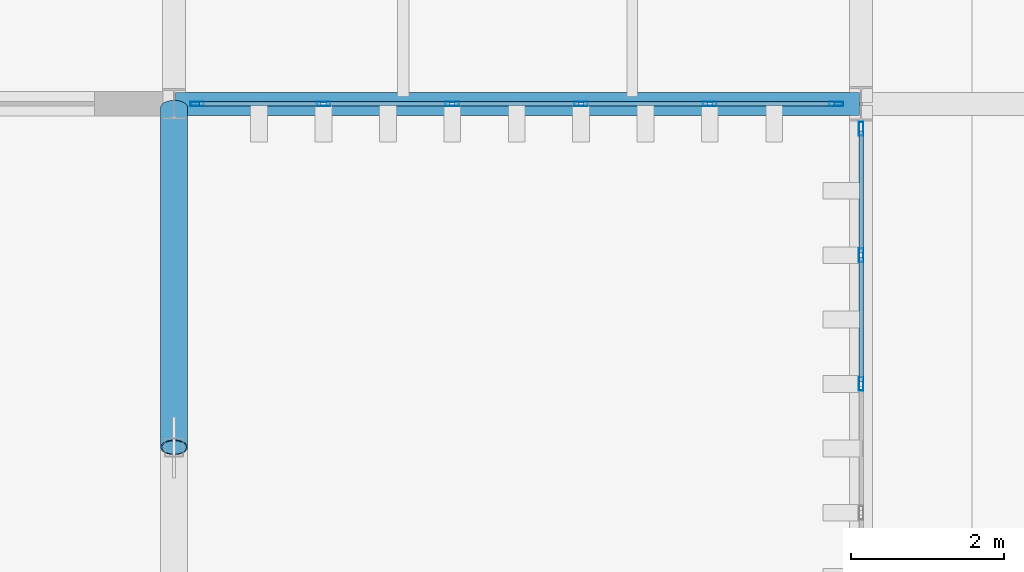
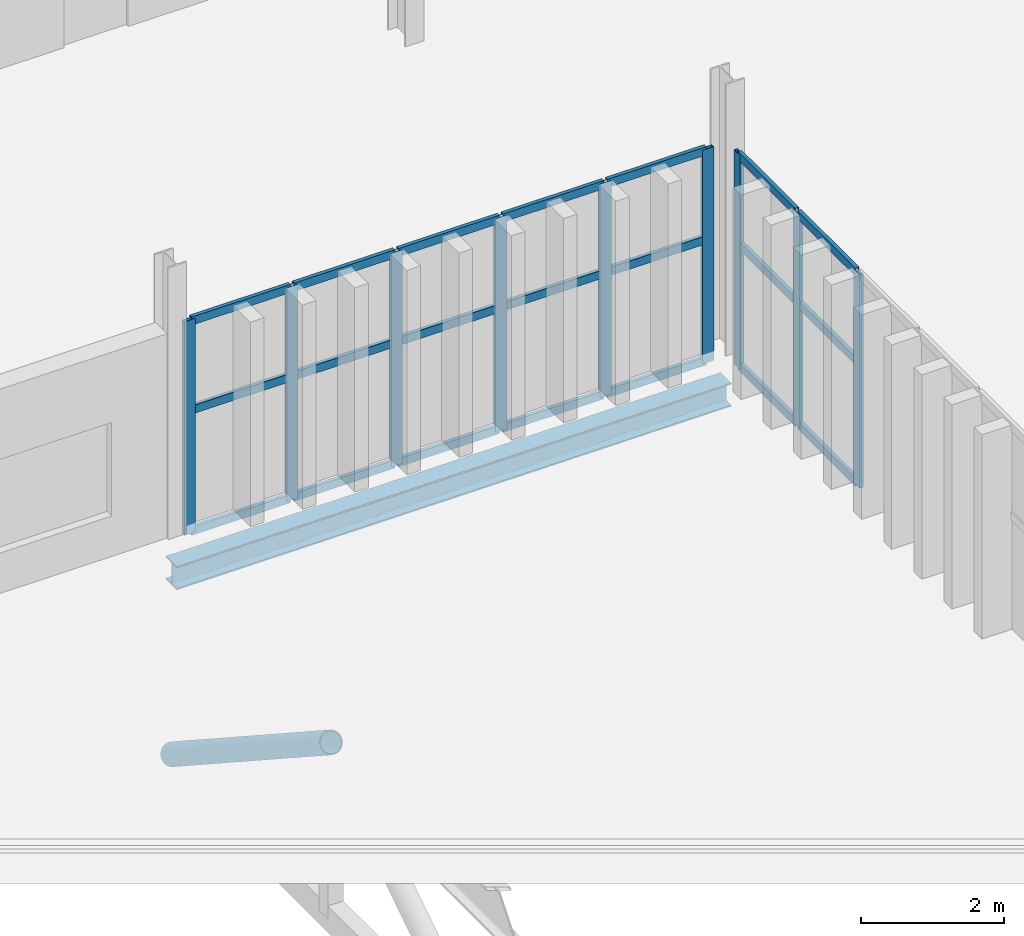
# One storey, part 119 of 196: 31 members, 1 beam, 2 elements without a shape of their own.
"""IFC4 building model written with IfcOpenShell, lengths in metres."""

from ifc_helpers import new_model, si_unit, direction, frame, origin, origin_2d, place, context, subcontext, project, spatial, hollow_rectangle, hollow_circle, i_section, extrude, material, layer, layer_set, material_profile, profile_set, type_object, element, aggregate, save


model = new_model("IFC4")

# Units and contexts
model_context = context("Model", 3, precision=1e-05, world=origin(), true_north=direction((0.0, 1.0)))
body_context = subcontext(model_context, "Body", "Model", "MODEL_VIEW")
ifc_project = project(units=[si_unit("LENGTHUNIT", "METRE"), si_unit("AREAUNIT", "SQUARE_METRE"), si_unit("VOLUMEUNIT", "CUBIC_METRE"), si_unit("PLANEANGLEUNIT", "RADIAN"), si_unit("MASSUNIT", "GRAM", prefix="KILO")], contexts=[model_context])

# Site, building, storey
site_placement = place(None, origin())
site = spatial("IfcSite", under=ifc_project, at=site_placement, CompositionType="ELEMENT")
building_placement = place(site_placement, origin())
building = spatial("IfcBuilding", under=site, at=building_placement, Name="Barlavento Convention Centre", CompositionType="ELEMENT")
storey_placement = place(building_placement, frame((0.0, 0.0, 18.0)))
storey = spatial("IfcBuildingStorey", under=building, at=storey_placement, Name="L03", CompositionType="ELEMENT", Elevation=18.0)

# Curtain wall, members
ifc_material_1 = material(Name="Powder-coated aluminium and Low-E glass", Category="aluminium")
ifc_layer = layer(ifc_material_1, 0.179931640625)
ifc_layer_set = layer_set([ifc_layer], Name="ARC-CW-CONF-L03")
curtain_wall_type = type_object("IfcCurtainWallType", Name="ARC-CW-CONF-L03", PredefinedType="NOTDEFINED", material=ifc_layer_set)
curtain_wall_1_placement = place(storey_placement, origin())
curtain_wall_1 = element("IfcCurtainWall", 1, at=curtain_wall_1_placement, inside=storey, type_object=curtain_wall_type, Name="L03 unitised curtain wall CW08", PredefinedType="NOTDEFINED")
ifc_material_2 = material(Name="Powder-coated aluminium", Category="aluminium")
ifc_material_profile_1 = material_profile(ifc_material_2, hollow_rectangle(XDim=0.06005859375, YDim=0.179931640625, WallThickness=0.0048828125, at=origin_2d()), Name="AL-MULL 60x180x5")
ifc_profile_set_1 = profile_set([ifc_material_profile_1], Name="Powder-coated aluminium")
member_type_1 = type_object("IfcMemberType", Name="ARC-CWM-60X180", PredefinedType="MULLION", material=ifc_profile_set_1)
member_1_placement = place(storey_placement, frame((162.300048828125, 36.0, 0.0), z_axis=(0.0, 0.0, 1.0), x_axis=(0.0, 1.0, 0.0)))
member_1 = element("IfcMember", 2, at=member_1_placement, type_object=member_type_1, Name="CW08 mullion 1", PredefinedType="MULLION", context=body_context, shape_type="SweptSolid", body=[
    extrude(hollow_rectangle(XDim=0.06005859375, YDim=0.179931640625, WallThickness=0.0048828125, at=origin_2d()), origin(), (0.0, 0.0, 1.0), 3.64990234375),
])
member_2_placement = place(storey_placement, frame((163.95703125, 36.0, 0.0), z_axis=(0.0, 0.0, 1.0), x_axis=(0.0, 1.0, 0.0)))
member_2 = element("IfcMember", 3, at=member_2_placement, type_object=member_type_1, Name="CW08 mullion 2", PredefinedType="MULLION", context=body_context, shape_type="SweptSolid", body=[
    extrude(hollow_rectangle(XDim=0.06005859375, YDim=0.179931640625, WallThickness=0.0048828125, at=origin_2d()), origin(), (0.0, 0.0, 1.0), 3.64990234375),
])
member_3_placement = place(storey_placement, frame((165.64404296875, 36.0, 0.0), z_axis=(0.0, 0.0, 1.0), x_axis=(0.0, 1.0, 0.0)))
member_3 = element("IfcMember", 4, at=member_3_placement, type_object=member_type_1, Name="CW08 mullion 3", PredefinedType="MULLION", context=body_context, shape_type="SweptSolid", body=[
    extrude(hollow_rectangle(XDim=0.06005859375, YDim=0.179931640625, WallThickness=0.0048828125, at=origin_2d()), origin(), (0.0, 0.0, 1.0), 3.64990234375),
])
member_4_placement = place(storey_placement, frame((167.3310546875, 36.0, 0.0), z_axis=(0.0, 0.0, 1.0), x_axis=(0.0, 1.0, 0.0)))
member_4 = element("IfcMember", 5, at=member_4_placement, type_object=member_type_1, Name="CW08 mullion 4", PredefinedType="MULLION", context=body_context, shape_type="SweptSolid", body=[
    extrude(hollow_rectangle(XDim=0.06005859375, YDim=0.179931640625, WallThickness=0.0048828125, at=origin_2d()), origin(), (0.0, 0.0, 1.0), 3.64990234375),
])
member_5_placement = place(storey_placement, frame((169.01806640625, 36.0, 0.0), z_axis=(0.0, 0.0, 1.0), x_axis=(0.0, 1.0, 0.0)))
member_5 = element("IfcMember", 6, at=member_5_placement, type_object=member_type_1, Name="CW08 mullion 5", PredefinedType="MULLION", context=body_context, shape_type="SweptSolid", body=[
    extrude(hollow_rectangle(XDim=0.06005859375, YDim=0.179931640625, WallThickness=0.0048828125, at=origin_2d()), origin(), (0.0, 0.0, 1.0), 3.64990234375),
])
member_6_placement = place(storey_placement, frame((170.675048828125, 36.0, 0.0), z_axis=(0.0, 0.0, 1.0), x_axis=(0.0, 1.0, 0.0)))
member_6 = element("IfcMember", 7, at=member_6_placement, type_object=member_type_1, Name="CW08 mullion 6", PredefinedType="MULLION", context=body_context, shape_type="SweptSolid", body=[
    extrude(hollow_rectangle(XDim=0.06005859375, YDim=0.179931640625, WallThickness=0.0048828125, at=origin_2d()), origin(), (0.0, 0.0, 1.0), 3.64990234375),
])

curtain_wall_2_placement = place(storey_placement, origin())
curtain_wall_2 = element("IfcCurtainWall", 8, at=curtain_wall_2_placement, inside=storey, type_object=curtain_wall_type, Name="L03 unitised curtain wall CW08", PredefinedType="NOTDEFINED")
member_7_placement = place(storey_placement, frame((171.0, 32.3310546875, 0.0), z_axis=(0.0, 0.0, 1.0), x_axis=(-1.0, 0.0, 0.0)))
member_7 = element("IfcMember", 9, at=member_7_placement, type_object=member_type_1, Name="CW08 mullion 4", PredefinedType="MULLION", context=body_context, shape_type="SweptSolid", body=[
    extrude(hollow_rectangle(XDim=0.06005859375, YDim=0.179931640625, WallThickness=0.0048828125, at=origin_2d()), origin(), (0.0, 0.0, 1.0), 3.64990234375),
])
member_8_placement = place(storey_placement, frame((171.0, 34.01806640625, 0.0), z_axis=(0.0, 0.0, 1.0), x_axis=(-1.0, 0.0, 0.0)))
member_8 = element("IfcMember", 10, at=member_8_placement, type_object=member_type_1, Name="CW08 mullion 5", PredefinedType="MULLION", context=body_context, shape_type="SweptSolid", body=[
    extrude(hollow_rectangle(XDim=0.06005859375, YDim=0.179931640625, WallThickness=0.0048828125, at=origin_2d()), origin(), (0.0, 0.0, 1.0), 3.64990234375),
])
member_9_placement = place(storey_placement, frame((171.0, 35.675048828125, 0.0), z_axis=(0.0, 0.0, 1.0), x_axis=(-1.0, 0.0, 0.0)))
member_9 = element("IfcMember", 11, at=member_9_placement, type_object=member_type_1, Name="CW08 mullion 6", PredefinedType="MULLION", context=body_context, shape_type="SweptSolid", body=[
    extrude(hollow_rectangle(XDim=0.06005859375, YDim=0.179931640625, WallThickness=0.0048828125, at=origin_2d()), origin(), (0.0, 0.0, 1.0), 3.64990234375),
])

# Member
ifc_material_profile_2 = material_profile(ifc_material_2, hollow_rectangle(XDim=0.06005859375, YDim=0.139892578125, WallThickness=0.00390625, at=origin_2d()), Name="AL-TRAN 60x140x4")
ifc_profile_set_2 = profile_set([ifc_material_profile_2], Name="Powder-coated aluminium")
member_type_2 = type_object("IfcMemberType", Name="ARC-CWT-60X140", PredefinedType="USERDEFINED", material=ifc_profile_set_2)
member_10_placement = place(storey_placement, frame((162.330078125, 36.0, 0.030029296875), z_axis=(1.0, 0.0, 0.0), x_axis=(0.0, 1.0, 0.0)))
member_10 = element("IfcMember", 12, at=member_10_placement, type_object=member_type_2, Name="CW08 transom 1.1", ObjectType="TRANSOM", PredefinedType="USERDEFINED", context=body_context, shape_type="SweptSolid", body=[
    extrude(hollow_rectangle(XDim=0.06005859375, YDim=0.139892578125, WallThickness=0.00390625, at=origin_2d()), origin(), (0.0, 0.0, 1.0), 1.596923828125),
])

member_11_placement = place(storey_placement, frame((162.330078125, 36.0, 2.10009765625), z_axis=(1.0, 0.0, 0.0), x_axis=(0.0, 1.0, 0.0)))
member_11 = element("IfcMember", 13, at=member_11_placement, type_object=member_type_2, Name="CW08 transom 1.2", ObjectType="TRANSOM", PredefinedType="USERDEFINED", context=body_context, shape_type="SweptSolid", body=[
    extrude(hollow_rectangle(XDim=0.06005859375, YDim=0.139892578125, WallThickness=0.00390625, at=origin_2d()), origin(), (0.0, 0.0, 1.0), 1.596923828125),
])

member_12_placement = place(storey_placement, frame((162.330078125, 36.0, 3.6201171875), z_axis=(1.0, 0.0, 0.0), x_axis=(0.0, 1.0, 0.0)))
member_12 = element("IfcMember", 14, at=member_12_placement, type_object=member_type_2, Name="CW08 transom 1.3", ObjectType="TRANSOM", PredefinedType="USERDEFINED", context=body_context, shape_type="SweptSolid", body=[
    extrude(hollow_rectangle(XDim=0.06005859375, YDim=0.139892578125, WallThickness=0.00390625, at=origin_2d()), origin(), (0.0, 0.0, 1.0), 1.596923828125),
])

member_13_placement = place(storey_placement, frame((163.987060546875, 36.0, 0.030029296875), z_axis=(1.0, 0.0, 0.0), x_axis=(0.0, 1.0, 0.0)))
member_13 = element("IfcMember", 15, at=member_13_placement, type_object=member_type_2, Name="CW08 transom 2.1", ObjectType="TRANSOM", PredefinedType="USERDEFINED", context=body_context, shape_type="SweptSolid", body=[
    extrude(hollow_rectangle(XDim=0.06005859375, YDim=0.139892578125, WallThickness=0.00390625, at=origin_2d()), origin(), (0.0, 0.0, 1.0), 1.626953125),
])

member_14_placement = place(storey_placement, frame((163.987060546875, 36.0, 2.10009765625), z_axis=(1.0, 0.0, 0.0), x_axis=(0.0, 1.0, 0.0)))
member_14 = element("IfcMember", 16, at=member_14_placement, type_object=member_type_2, Name="CW08 transom 2.2", ObjectType="TRANSOM", PredefinedType="USERDEFINED", context=body_context, shape_type="SweptSolid", body=[
    extrude(hollow_rectangle(XDim=0.06005859375, YDim=0.139892578125, WallThickness=0.00390625, at=origin_2d()), origin(), (0.0, 0.0, 1.0), 1.626953125),
])

member_15_placement = place(storey_placement, frame((163.987060546875, 36.0, 3.6201171875), z_axis=(1.0, 0.0, 0.0), x_axis=(0.0, 1.0, 0.0)))
member_15 = element("IfcMember", 17, at=member_15_placement, type_object=member_type_2, Name="CW08 transom 2.3", ObjectType="TRANSOM", PredefinedType="USERDEFINED", context=body_context, shape_type="SweptSolid", body=[
    extrude(hollow_rectangle(XDim=0.06005859375, YDim=0.139892578125, WallThickness=0.00390625, at=origin_2d()), origin(), (0.0, 0.0, 1.0), 1.626953125),
])

member_16_placement = place(storey_placement, frame((165.674072265625, 36.0, 0.030029296875), z_axis=(1.0, 0.0, 0.0), x_axis=(0.0, 1.0, 0.0)))
member_16 = element("IfcMember", 18, at=member_16_placement, type_object=member_type_2, Name="CW08 transom 3.1", ObjectType="TRANSOM", PredefinedType="USERDEFINED", context=body_context, shape_type="SweptSolid", body=[
    extrude(hollow_rectangle(XDim=0.06005859375, YDim=0.139892578125, WallThickness=0.00390625, at=origin_2d()), origin(), (0.0, 0.0, 1.0), 1.626953125),
])

member_17_placement = place(storey_placement, frame((165.674072265625, 36.0, 2.10009765625), z_axis=(1.0, 0.0, 0.0), x_axis=(0.0, 1.0, 0.0)))
member_17 = element("IfcMember", 19, at=member_17_placement, type_object=member_type_2, Name="CW08 transom 3.2", ObjectType="TRANSOM", PredefinedType="USERDEFINED", context=body_context, shape_type="SweptSolid", body=[
    extrude(hollow_rectangle(XDim=0.06005859375, YDim=0.139892578125, WallThickness=0.00390625, at=origin_2d()), origin(), (0.0, 0.0, 1.0), 1.626953125),
])

member_18_placement = place(storey_placement, frame((165.674072265625, 36.0, 3.6201171875), z_axis=(1.0, 0.0, 0.0), x_axis=(0.0, 1.0, 0.0)))
member_18 = element("IfcMember", 20, at=member_18_placement, type_object=member_type_2, Name="CW08 transom 3.3", ObjectType="TRANSOM", PredefinedType="USERDEFINED", context=body_context, shape_type="SweptSolid", body=[
    extrude(hollow_rectangle(XDim=0.06005859375, YDim=0.139892578125, WallThickness=0.00390625, at=origin_2d()), origin(), (0.0, 0.0, 1.0), 1.626953125),
])

member_19_placement = place(storey_placement, frame((167.361083984375, 36.0, 0.030029296875), z_axis=(1.0, 0.0, 0.0), x_axis=(0.0, 1.0, 0.0)))
member_19 = element("IfcMember", 21, at=member_19_placement, type_object=member_type_2, Name="CW08 transom 4.1", ObjectType="TRANSOM", PredefinedType="USERDEFINED", context=body_context, shape_type="SweptSolid", body=[
    extrude(hollow_rectangle(XDim=0.06005859375, YDim=0.139892578125, WallThickness=0.00390625, at=origin_2d()), origin(), (0.0, 0.0, 1.0), 1.626953125),
])

member_20_placement = place(storey_placement, frame((167.361083984375, 36.0, 2.10009765625), z_axis=(1.0, 0.0, 0.0), x_axis=(0.0, 1.0, 0.0)))
member_20 = element("IfcMember", 22, at=member_20_placement, type_object=member_type_2, Name="CW08 transom 4.2", ObjectType="TRANSOM", PredefinedType="USERDEFINED", context=body_context, shape_type="SweptSolid", body=[
    extrude(hollow_rectangle(XDim=0.06005859375, YDim=0.139892578125, WallThickness=0.00390625, at=origin_2d()), origin(), (0.0, 0.0, 1.0), 1.626953125),
])

member_21_placement = place(storey_placement, frame((167.361083984375, 36.0, 3.6201171875), z_axis=(1.0, 0.0, 0.0), x_axis=(0.0, 1.0, 0.0)))
member_21 = element("IfcMember", 23, at=member_21_placement, type_object=member_type_2, Name="CW08 transom 4.3", ObjectType="TRANSOM", PredefinedType="USERDEFINED", context=body_context, shape_type="SweptSolid", body=[
    extrude(hollow_rectangle(XDim=0.06005859375, YDim=0.139892578125, WallThickness=0.00390625, at=origin_2d()), origin(), (0.0, 0.0, 1.0), 1.626953125),
])

member_22_placement = place(storey_placement, frame((169.048095703125, 36.0, 0.030029296875), z_axis=(1.0, 0.0, 0.0), x_axis=(0.0, 1.0, 0.0)))
member_22 = element("IfcMember", 24, at=member_22_placement, type_object=member_type_2, Name="CW08 transom 5.1", ObjectType="TRANSOM", PredefinedType="USERDEFINED", context=body_context, shape_type="SweptSolid", body=[
    extrude(hollow_rectangle(XDim=0.06005859375, YDim=0.139892578125, WallThickness=0.00390625, at=origin_2d()), origin(), (0.0, 0.0, 1.0), 1.596923828125),
])

member_23_placement = place(storey_placement, frame((169.048095703125, 36.0, 2.10009765625), z_axis=(1.0, 0.0, 0.0), x_axis=(0.0, 1.0, 0.0)))
member_23 = element("IfcMember", 25, at=member_23_placement, type_object=member_type_2, Name="CW08 transom 5.2", ObjectType="TRANSOM", PredefinedType="USERDEFINED", context=body_context, shape_type="SweptSolid", body=[
    extrude(hollow_rectangle(XDim=0.06005859375, YDim=0.139892578125, WallThickness=0.00390625, at=origin_2d()), origin(), (0.0, 0.0, 1.0), 1.596923828125),
])

member_24_placement = place(storey_placement, frame((169.048095703125, 36.0, 3.6201171875), z_axis=(1.0, 0.0, 0.0), x_axis=(0.0, 1.0, 0.0)))
member_24 = element("IfcMember", 26, at=member_24_placement, type_object=member_type_2, Name="CW08 transom 5.3", ObjectType="TRANSOM", PredefinedType="USERDEFINED", context=body_context, shape_type="SweptSolid", body=[
    extrude(hollow_rectangle(XDim=0.06005859375, YDim=0.139892578125, WallThickness=0.00390625, at=origin_2d()), origin(), (0.0, 0.0, 1.0), 1.596923828125),
])

aggregate(curtain_wall_1, [member_1, member_2, member_3, member_4, member_5, member_6, member_10, member_11, member_12, member_13, member_14, member_15, member_16, member_17, member_18, member_19, member_20, member_21, member_22, member_23, member_24])

member_25_placement = place(storey_placement, frame((171.0, 32.361083984375, 0.030029296875), z_axis=(0.0, 1.0, 0.0), x_axis=(-1.0, 0.0, 0.0)))
member_25 = element("IfcMember", 27, at=member_25_placement, type_object=member_type_2, Name="CW08 transom 4.1", ObjectType="TRANSOM", PredefinedType="USERDEFINED", context=body_context, shape_type="SweptSolid", body=[
    extrude(hollow_rectangle(XDim=0.06005859375, YDim=0.139892578125, WallThickness=0.00390625, at=origin_2d()), origin(), (0.0, 0.0, 1.0), 1.626953125),
])

member_26_placement = place(storey_placement, frame((171.0, 32.361083984375, 2.10009765625), z_axis=(0.0, 1.0, 0.0), x_axis=(-1.0, 0.0, 0.0)))
member_26 = element("IfcMember", 28, at=member_26_placement, type_object=member_type_2, Name="CW08 transom 4.2", ObjectType="TRANSOM", PredefinedType="USERDEFINED", context=body_context, shape_type="SweptSolid", body=[
    extrude(hollow_rectangle(XDim=0.06005859375, YDim=0.139892578125, WallThickness=0.00390625, at=origin_2d()), origin(), (0.0, 0.0, 1.0), 1.626953125),
])

member_27_placement = place(storey_placement, frame((171.0, 32.361083984375, 3.6201171875), z_axis=(0.0, 1.0, 0.0), x_axis=(-1.0, 0.0, 0.0)))
member_27 = element("IfcMember", 29, at=member_27_placement, type_object=member_type_2, Name="CW08 transom 4.3", ObjectType="TRANSOM", PredefinedType="USERDEFINED", context=body_context, shape_type="SweptSolid", body=[
    extrude(hollow_rectangle(XDim=0.06005859375, YDim=0.139892578125, WallThickness=0.00390625, at=origin_2d()), origin(), (0.0, 0.0, 1.0), 1.626953125),
])

member_28_placement = place(storey_placement, frame((171.0, 34.048095703125, 0.030029296875), z_axis=(0.0, 1.0, 0.0), x_axis=(-1.0, 0.0, 0.0)))
member_28 = element("IfcMember", 30, at=member_28_placement, type_object=member_type_2, Name="CW08 transom 5.1", ObjectType="TRANSOM", PredefinedType="USERDEFINED", context=body_context, shape_type="SweptSolid", body=[
    extrude(hollow_rectangle(XDim=0.06005859375, YDim=0.139892578125, WallThickness=0.00390625, at=origin_2d()), origin(), (0.0, 0.0, 1.0), 1.596923828125),
])

member_29_placement = place(storey_placement, frame((171.0, 34.048095703125, 2.10009765625), z_axis=(0.0, 1.0, 0.0), x_axis=(-1.0, 0.0, 0.0)))
member_29 = element("IfcMember", 31, at=member_29_placement, type_object=member_type_2, Name="CW08 transom 5.2", ObjectType="TRANSOM", PredefinedType="USERDEFINED", context=body_context, shape_type="SweptSolid", body=[
    extrude(hollow_rectangle(XDim=0.06005859375, YDim=0.139892578125, WallThickness=0.00390625, at=origin_2d()), origin(), (0.0, 0.0, 1.0), 1.596923828125),
])

member_30_placement = place(storey_placement, frame((171.0, 34.048095703125, 3.6201171875), z_axis=(0.0, 1.0, 0.0), x_axis=(-1.0, 0.0, 0.0)))
member_30 = element("IfcMember", 32, at=member_30_placement, type_object=member_type_2, Name="CW08 transom 5.3", ObjectType="TRANSOM", PredefinedType="USERDEFINED", context=body_context, shape_type="SweptSolid", body=[
    extrude(hollow_rectangle(XDim=0.06005859375, YDim=0.139892578125, WallThickness=0.00390625, at=origin_2d()), origin(), (0.0, 0.0, 1.0), 1.596923828125),
])

aggregate(curtain_wall_2, [member_7, member_8, member_9, member_25, member_26, member_27, member_28, member_29, member_30])

# Beam
ifc_material_3 = material(Name="Steel S355", Category="steel")
ifc_material_profile_3 = material_profile(ifc_material_3, i_section(OverallWidth=0.300048828125, OverallDepth=0.39990234375, WebThickness=0.013427734375, FlangeThickness=0.02392578125, FilletRadius=0.027099609375, at=origin_2d()), Name="HEB 400")
ifc_profile_set_3 = profile_set([ifc_material_profile_3], Name="Steel S355")
beam_type = type_object("IfcBeamType", Name="STR-BM-PRI-HEB400", PredefinedType="BEAM", material=ifc_profile_set_3)
beam_placement = place(storey_placement, frame((162.02001953125, 36.0, -0.590087890625), z_axis=(1.0, 0.0, 0.0), x_axis=(0.0, 1.0, 0.0)))
element("IfcBeam", 33, at=beam_placement, inside=storey, type_object=beam_type, Name="L03 primary girder BG11", PredefinedType="BEAM", context=body_context, shape_type="SweptSolid", body=[
    extrude(i_section(OverallWidth=0.300048828125, OverallDepth=0.39990234375, WebThickness=0.013427734375, FlangeThickness=0.02392578125, FilletRadius=0.027099609375, at=origin_2d()), origin(), (0.0, 0.0, 1.0), 8.9599609375),
])

# Member
ifc_material_profile_4 = material_profile(ifc_material_3, hollow_circle(Radius=0.177734375, WallThickness=0.01611328125, at=origin_2d()), Name="CHS 355.6x16.0")
ifc_profile_set_4 = profile_set([ifc_material_profile_4], Name="Steel S355")
member_type_3 = type_object("IfcMemberType", Name="STR-MEM-CHD-CHS355", PredefinedType="CHORD", material=ifc_profile_set_4)
member_31_placement = place(storey_placement, frame((162.0, 31.5, -0.748046875), z_axis=(0.0, 0.837635280433, -0.5462299305), x_axis=(-1.0, 0.0, 0.0)))
element("IfcMember", 34, at=member_31_placement, inside=storey, type_object=member_type_3, Name="Ballroom transfer truss diagonal TC01", PredefinedType="CHORD", context=body_context, shape_type="SweptSolid", body=[
    extrude(hollow_circle(Radius=0.177734375, WallThickness=0.01611328125, at=origin_2d()), origin(), (0.0, 0.0, 1.0), 5.3125),
])

save(model, "model.ifc")
